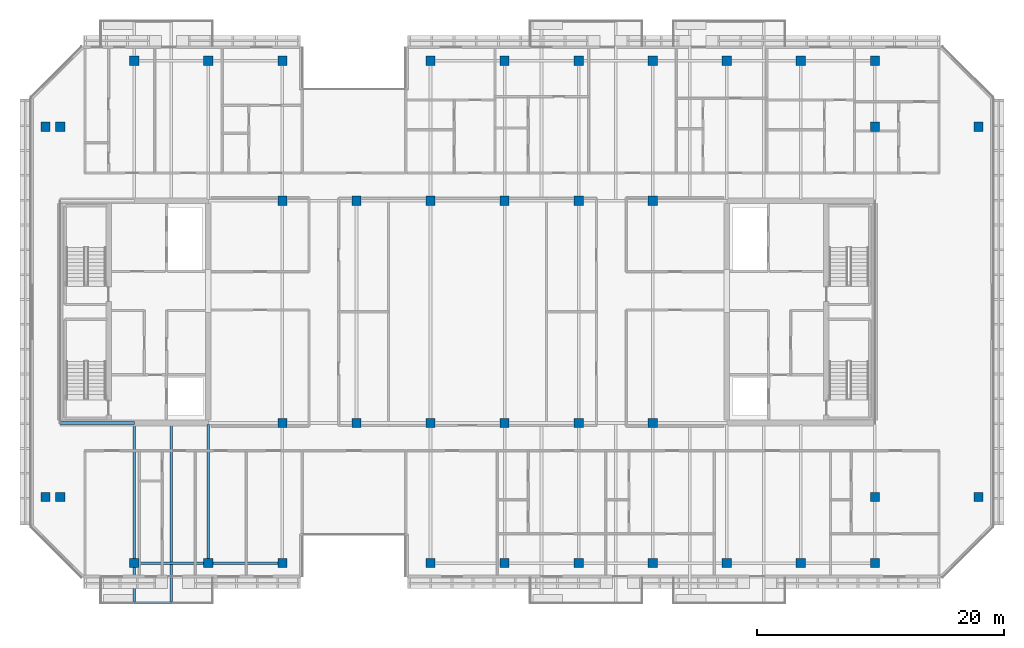
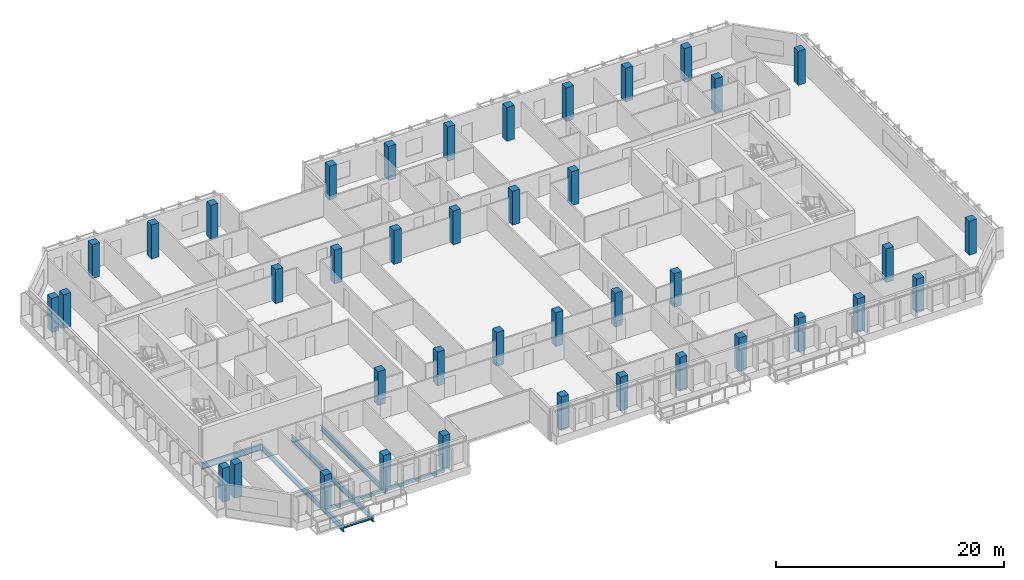
# One storey, part 1 of 17: 40 columns, 7 beams.
"""IFC4 building model written with IfcOpenShell, lengths in metres."""

from ifc_helpers import new_model, si_unit, direction, frame, origin, origin_2d, place, context, subcontext, project, spatial, rectangle, hollow_rectangle, i_section, extrude, material, material_profile, profile_set, type_object, element, save


model = new_model("IFC4")

# Units and contexts
model_context = context("Model", 3, precision=1e-05, world=origin(), true_north=direction((0.0, 1.0)))
body_context = subcontext(model_context, "Body", "Model", "MODEL_VIEW")
ifc_project = project(units=[si_unit("LENGTHUNIT", "METRE"), si_unit("AREAUNIT", "SQUARE_METRE"), si_unit("VOLUMEUNIT", "CUBIC_METRE"), si_unit("PLANEANGLEUNIT", "RADIAN"), si_unit("MASSUNIT", "GRAM", prefix="KILO")], contexts=[model_context])

# Site, building, storey
site_placement = place(None, origin())
site = spatial("IfcSite", under=ifc_project, at=site_placement, CompositionType="ELEMENT")
building_placement = place(site_placement, origin())
building = spatial("IfcBuilding", under=site, at=building_placement, Name="Tanjung Sevakor Pilgrim Tower", CompositionType="ELEMENT")
storey_placement = place(building_placement, frame((0.0, 0.0, 219.1201171875)))
storey = spatial("IfcBuildingStorey", under=building, at=storey_placement, Name="L61", CompositionType="ELEMENT", Elevation=219.1201171875)

# Columns
ifc_material_1 = material(Name="Concrete C60/75", Category="concrete")
ifc_material_profile_1 = material_profile(ifc_material_1, rectangle(XDim=0.75, YDim=0.75, at=origin_2d()))
ifc_profile_set_1 = profile_set([ifc_material_profile_1], Name="Concrete C60/75")
column_type = type_object("IfcColumnType", Name="COL-C-T750-RC_750x750", PredefinedType="COLUMN", material=ifc_profile_set_1)
for number, where, z_axis, x_axis, name in (
    (1, (42.0, 24.60009765625, 0.0), (0.0, 0.0, 1.0), (1.0, 0.0, 0.0), "L61 Column SPW-042-246"),
    (2, (42.0, 42.60009765625, 0.0), (0.0, 0.0, 1.0), (1.0, 0.0, 0.0), "L61 Column SPW-042-426"),
    (3, (48.0, 24.60009765625, 0.0), (0.0, 0.0, 1.0), (1.0, 0.0, 0.0), "L61 Column SPW-048-246"),
    (4, (48.0, 42.60009765625, 0.0), (0.0, 0.0, 1.0), (1.0, 0.0, 0.0), "L61 Column SPW-048-426"),
    (5, (54.0, 24.60009765625, 0.0), (0.0, 0.0, 1.0), (1.0, 0.0, 0.0), "L61 Column SPE-054-246"),
    (6, (54.0, 42.60009765625, 0.0), (0.0, 0.0, 1.0), (1.0, 0.0, 0.0), "L61 Column SPE-054-426"),
    (7, (60.0, 24.60009765625, 0.0), (0.0, 0.0, 1.0), (1.0, 0.0, 0.0), "L61 Column SPE-060-246"),
    (8, (60.0, 42.60009765625, 0.0), (0.0, 0.0, 1.0), (1.0, 0.0, 0.0), "L61 Column SPE-060-426"),
    (9, (66.0, 24.60009765625, 0.0), (0.0, 0.0, 1.0), (1.0, 0.0, 0.0), "L61 Column SPE-066-246"),
    (10, (66.0, 42.60009765625, 0.0), (0.0, 0.0, 1.0), (1.0, 0.0, 0.0), "L61 Column SPE-066-426"),
    (11, (72.0, 24.60009765625, 0.0), (0.0, 0.0, 1.0), (1.0, 0.0, 0.0), "L61 Column SPE-072-246"),
    (12, (72.0, 42.60009765625, 0.0), (0.0, 0.0, 1.0), (1.0, 0.0, 0.0), "L61 Column SPE-072-426"),
    (13, (22.800048828125, 18.60009765625, 0.0), (0.0, 0.0, 1.0), (1.0, 0.0, 0.0), "L61 Column TCE-0228-186"),
    (14, (22.800048828125, 48.60009765625, 0.0), (0.0, 0.0, 1.0), (1.0, 0.0, 0.0), "L61 Column TCE-0228-486"),
    (15, (24.0, 18.60009765625, 0.0), (0.0, 0.0, 1.0), (1.0, 0.0, 0.0), "L61 Column TCE-0240-186"),
    (16, (24.0, 48.60009765625, 0.0), (0.0, 0.0, 1.0), (1.0, 0.0, 0.0), "L61 Column TCE-0240-486"),
    (17, (90.0, 18.60009765625, 0.0), (0.0, 0.0, 1.0), (1.0, 0.0, 0.0), "L61 Column TCE-0900-186"),
    (18, (90.0, 48.60009765625, 0.0), (0.0, 0.0, 1.0), (1.0, 0.0, 0.0), "L61 Column TCE-0900-486"),
    (19, (98.39990234375, 18.60009765625, 0.0), (0.0, 0.0, 1.0), (1.0, 0.0, 0.0), "L61 Column TCE-0984-186"),
    (20, (98.39990234375, 48.60009765625, 0.0), (0.0, 0.0, 1.0), (1.0, 0.0, 0.0), "L61 Column TCE-0984-486"),
    (21, (30.0, 13.25, 0.0), (0.0, 0.0, 1.0), (1.0, 0.0, 0.0), "L61 Column TC4-030-132"),
    (22, (30.0, 53.949951171875, 0.0), (0.0, 0.0, 1.0), (1.0, 0.0, 0.0), "L61 Column TC4-030-540"),
    (23, (36.0, 13.25, 0.0), (0.0, 0.0, 1.0), (1.0, 0.0, 0.0), "L61 Column TC4-036-132"),
    (24, (36.0, 53.949951171875, 0.0), (0.0, 0.0, 1.0), (1.0, 0.0, 0.0), "L61 Column TC4-036-540"),
    (25, (42.0, 13.25, 0.0), (0.0, 0.0, 1.0), (1.0, 0.0, 0.0), "L61 Column TC4-042-132"),
    (26, (42.0, 53.949951171875, 0.0), (0.0, 0.0, 1.0), (1.0, 0.0, 0.0), "L61 Column TC4-042-540"),
    (27, (54.0, 13.25, 0.0), (0.0, 0.0, 1.0), (1.0, 0.0, 0.0), "L61 Column TC4-054-132"),
    (28, (54.0, 53.949951171875, 0.0), (0.0, 0.0, 1.0), (1.0, 0.0, 0.0), "L61 Column TC4-054-540"),
    (29, (60.0, 13.25, 0.0), (0.0, 0.0, 1.0), (1.0, 0.0, 0.0), "L61 Column TC4-060-132"),
    (30, (60.0, 53.949951171875, 0.0), (0.0, 0.0, 1.0), (1.0, 0.0, 0.0), "L61 Column TC4-060-540"),
    (31, (66.0, 13.25, 0.0), (0.0, 0.0, 1.0), (1.0, 0.0, 0.0), "L61 Column TC4-066-132"),
    (32, (66.0, 53.949951171875, 0.0), (0.0, 0.0, 1.0), (1.0, 0.0, 0.0), "L61 Column TC4-066-540"),
    (33, (72.0, 13.25, 0.0), (0.0, 0.0, 1.0), (1.0, 0.0, 0.0), "L61 Column TC4-072-132"),
    (34, (72.0, 53.949951171875, 0.0), (0.0, 0.0, 1.0), (1.0, 0.0, 0.0), "L61 Column TC4-072-540"),
    (35, (78.0, 13.25, 0.0), (0.0, 0.0, 1.0), (1.0, 0.0, 0.0), "L61 Column TC4-078-132"),
    (36, (78.0, 53.949951171875, 0.0), (0.0, 0.0, 1.0), (1.0, 0.0, 0.0), "L61 Column TC4-078-540"),
    (37, (84.0, 13.25, 0.0), (0.0, 0.0, 1.0), (1.0, 0.0, 0.0), "L61 Column TC4-084-132"),
    (38, (84.0, 53.949951171875, 0.0), (0.0, 0.0, 1.0), (1.0, 0.0, 0.0), "L61 Column TC4-084-540"),
    (39, (90.0, 13.25, 0.0), (0.0, 0.0, 1.0), (1.0, 0.0, 0.0), "L61 Column TC4-090-132"),
    (40, (90.0, 53.949951171875, 0.0), (0.0, 0.0, 1.0), (1.0, 0.0, 0.0), "L61 Column TC4-090-540"),
):
    element("IfcColumn", number, at=place(storey_placement, frame(where, z_axis=z_axis, x_axis=x_axis)), inside=storey, type_object=column_type, Name=name, PredefinedType="COLUMN", context=body_context, shape_type="SweptSolid", body=[
        extrude(rectangle(XDim=0.75, YDim=0.75, at=origin_2d()), origin(), (0.0, 0.0, 1.0), 3.6298828125),
    ])

# Beams
ifc_material_2 = material(Name="Steel S355J2", Category="steel")
ifc_material_profile_2 = material_profile(ifc_material_2, i_section(OverallWidth=0.22900390625, OverallDepth=0.6123046875, WebThickness=0.011962890625, FlangeThickness=0.01953125, FilletRadius=0.0126953125, at=origin_2d()))
ifc_profile_set_2 = profile_set([ifc_material_profile_2], Name="Steel S355J2")
beam_type_1 = type_object("IfcBeamType", Name="BM-B-G4-UB_610x229x125", PredefinedType="BEAM", material=ifc_profile_set_2)
beam_1_placement = place(storey_placement, frame((24.0, 24.60009765625, -0.526123046875), z_axis=(1.0, 0.0, 0.0), x_axis=(0.0, 1.0, 0.0)))
element("IfcBeam", 41, at=beam_1_placement, inside=storey, type_object=beam_type_1, Name="L61 Primary Floor Girder MAIN Y246-01", PredefinedType="BEAM", context=body_context, shape_type="SweptSolid", body=[
    extrude(i_section(OverallWidth=0.22900390625, OverallDepth=0.6123046875, WebThickness=0.011962890625, FlangeThickness=0.01953125, FilletRadius=0.0126953125, at=origin_2d()), origin(), (0.0, 0.0, 1.0), 6.0),
])
for number, where, z_axis, x_axis, name in (
    (42, (30.0, 24.485595703125, -0.526123046875), (0.0, -1.0, 0.0), (1.0, 0.0, 0.0), "L61 Balcony Cantilever Beam MAIN-S1-1"),
    (43, (33.0, 24.485595703125, -0.526123046875), (0.0, -1.0, 0.0), (1.0, 0.0, 0.0), "L61 Balcony Cantilever Beam MAIN-S1-2"),
):
    element("IfcBeam", number, at=place(storey_placement, frame(where, z_axis=z_axis, x_axis=x_axis)), inside=storey, type_object=beam_type_1, Name=name, PredefinedType="BEAM", context=body_context, shape_type="SweptSolid", body=[
        extrude(i_section(OverallWidth=0.22900390625, OverallDepth=0.6123046875, WebThickness=0.011962890625, FlangeThickness=0.01953125, FilletRadius=0.0126953125, at=origin_2d()), origin(), (0.0, 0.0, 1.0), 14.41552734375),
    ])
ifc_material_3 = material(Name="Steel S355J2", Category="steel")
ifc_material_profile_3 = material_profile(ifc_material_3, i_section(OverallWidth=0.2119140625, OverallDepth=0.54443359375, WebThickness=0.0126953125, FlangeThickness=0.021240234375, FilletRadius=0.0126953125, at=origin_2d()))
ifc_profile_set_3 = profile_set([ifc_material_profile_3], Name="Steel S355J2")
beam_type_2 = type_object("IfcBeamType", Name="BM-B-G5-UB_533x210x122", PredefinedType="BEAM", material=ifc_profile_set_3)
beam_2_placement = place(storey_placement, frame((36.0, 13.25, -0.492431640625), z_axis=(0.0, 1.0, 0.0), x_axis=(-1.0, 0.0, 0.0)))
element("IfcBeam", 44, at=beam_2_placement, inside=storey, type_object=beam_type_2, Name="L61 MAIN Girder 001", PredefinedType="BEAM", context=body_context, shape_type="SweptSolid", body=[
    extrude(i_section(OverallWidth=0.2119140625, OverallDepth=0.54443359375, WebThickness=0.0126953125, FlangeThickness=0.021240234375, FilletRadius=0.0126953125, at=origin_2d()), origin(), (0.0, 0.0, 1.0), 11.235595703125),
])
ifc_material_4 = material(Name="Steel S355J2", Category="steel")
ifc_material_profile_4 = material_profile(ifc_material_4, i_section(OverallWidth=0.146484375, OverallDepth=0.256103515625, WebThickness=0.00634765625, FlangeThickness=0.010986328125, FilletRadius=0.007568359375, at=origin_2d()))
ifc_profile_set_4 = profile_set([ifc_material_profile_4], Name="Steel S355J2")
beam_type_3 = type_object("IfcBeamType", Name="BM-B-J6-UB_254x146x37", PredefinedType="JOIST", material=ifc_profile_set_4)
beam_3_placement = place(storey_placement, frame((30.0, 10.070068359375, -0.328125), z_axis=(1.0, 0.0, 0.0), x_axis=(0.0, 1.0, 0.0)))
element("IfcBeam", 45, at=beam_3_placement, inside=storey, type_object=beam_type_3, Name="L61 Balcony Rim Tie MAIN-S1", PredefinedType="JOIST", context=body_context, shape_type="SweptSolid", body=[
    extrude(i_section(OverallWidth=0.146484375, OverallDepth=0.256103515625, WebThickness=0.00634765625, FlangeThickness=0.010986328125, FilletRadius=0.007568359375, at=origin_2d()), origin(), (0.0, 0.0, 1.0), 3.0),
])
ifc_material_5 = material(Name="Steel S355J2", Category="steel")
ifc_material_profile_5 = material_profile(ifc_material_5, hollow_rectangle(XDim=0.199951171875, YDim=0.300048828125, WallThickness=0.012451171875, at=origin_2d()))
ifc_profile_set_5 = profile_set([ifc_material_profile_5], Name="Steel S355J2")
beam_type_4 = type_object("IfcBeamType", Name="BM-B-SP3-RHS_300x200x12.5", PredefinedType="SPANDREL", material=ifc_profile_set_5)
for number, where, z_axis, x_axis, name in (
    (46, (30.0, 13.25, -0.3701171875), (1.0, 0.0, 0.0), (0.0, 1.0, 0.0), "L61 Spandrel MAIN S-01"),
    (47, (36.0, 13.25, -0.3701171875), (1.0, 0.0, 0.0), (0.0, 1.0, 0.0), "L61 Spandrel MAIN S-03"),
):
    element("IfcBeam", number, at=place(storey_placement, frame(where, z_axis=z_axis, x_axis=x_axis)), inside=storey, type_object=beam_type_4, Name=name, PredefinedType="SPANDREL", context=body_context, shape_type="SweptSolid", body=[
        extrude(hollow_rectangle(XDim=0.199951171875, YDim=0.300048828125, WallThickness=0.012451171875, at=origin_2d()), origin(), (0.0, 0.0, 1.0), 6.0),
    ])

save(model, "model.ifc")
